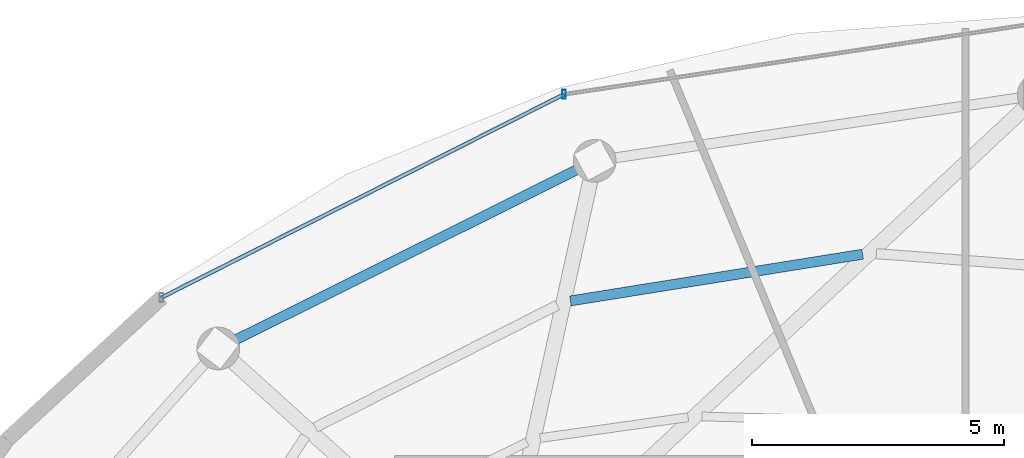
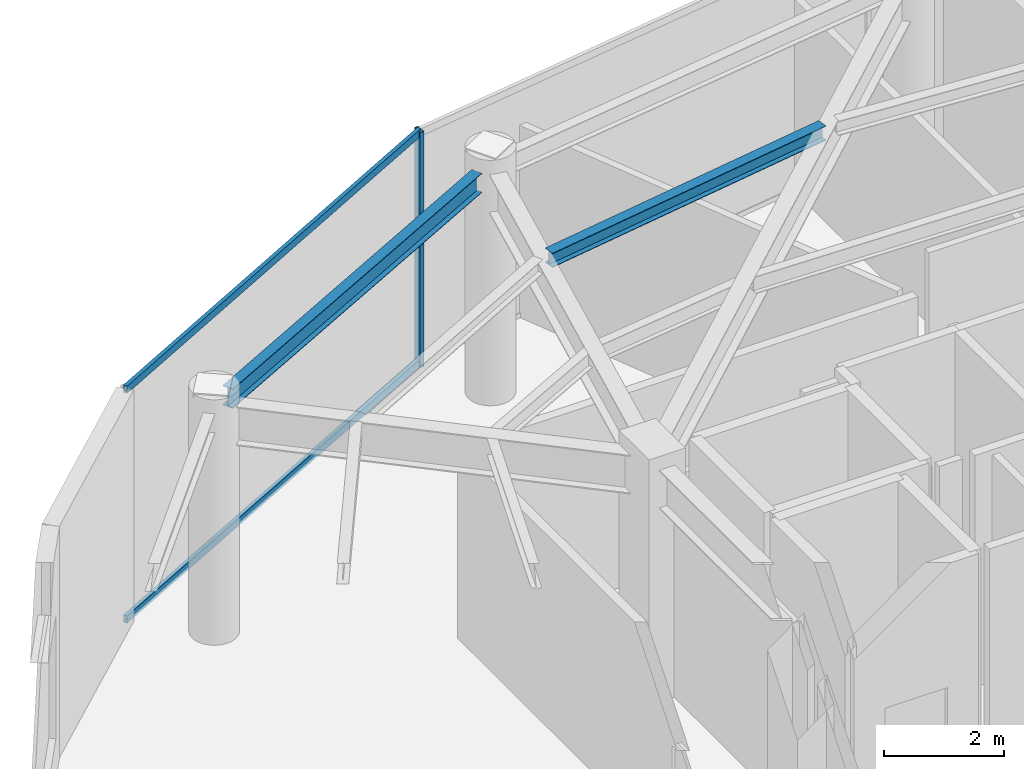
# One storey, part 16 of 24: 3 members, 2 beams, 1 element without a shape of its own.
"""IFC4 building model written with IfcOpenShell, lengths in metres."""

from ifc_helpers import new_model, si_unit, direction, frame, origin, origin_2d, place, context, subcontext, project, spatial, hollow_rectangle, i_section, extrude, material, material_profile, profile_set, type_object, element, aggregate, save


model = new_model("IFC4")

# Units and contexts
model_context = context("Model", 3, precision=1e-05, world=origin(), true_north=direction((0.0, 1.0)))
body_context = subcontext(model_context, "Body", "Model", "MODEL_VIEW")
ifc_project = project(units=[si_unit("LENGTHUNIT", "METRE"), si_unit("AREAUNIT", "SQUARE_METRE"), si_unit("VOLUMEUNIT", "CUBIC_METRE"), si_unit("PLANEANGLEUNIT", "RADIAN"), si_unit("MASSUNIT", "GRAM", prefix="KILO")], contexts=[model_context])

# Site, building, storey
site_placement = place(None, origin())
site = spatial("IfcSite", under=ifc_project, at=site_placement, CompositionType="ELEMENT")
building_placement = place(site_placement, origin())
building = spatial("IfcBuilding", under=site, at=building_placement, Name="Vorneva Point Tower", CompositionType="ELEMENT")
storey_placement = place(building_placement, frame((0.0, 0.0, 290.39990234375)))
storey = spatial("IfcBuildingStorey", under=building, at=storey_placement, Name="L78", CompositionType="ELEMENT", Elevation=290.39990234375)

# Beams
ifc_material_1 = material(Name="Steel S355", Category="steel")
ifc_material_profile_1 = material_profile(ifc_material_1, i_section(OverallWidth=0.199951171875, OverallDepth=0.291015625, WebThickness=0.008056640625, FlangeThickness=0.010986328125, at=origin_2d()), Name="30Sh1")
ifc_profile_set_1 = profile_set([ifc_material_profile_1], Name="Steel S355")
beam_type_1 = type_object("IfcBeamType", Name="BM-SEC-30Sh1", PredefinedType="BEAM", material=ifc_profile_set_1)
beam_1_placement = place(storey_placement, frame((34.502197265625, 40.035400390625, 4.57470703125), z_axis=(-0.987472742083, -0.157789681675, 0.0), x_axis=(0.157789681675, -0.987472742083, 0.0)))
element("IfcBeam", 1, at=beam_1_placement, inside=storey, type_object=beam_type_1, Name="L78 Secondary Floor Beam 1.05", PredefinedType="BEAM", context=body_context, shape_type="SweptSolid", body=[
    extrude(i_section(OverallWidth=0.199951171875, OverallDepth=0.291015625, WebThickness=0.008056640625, FlangeThickness=0.010986328125, at=origin_2d()), origin(), (0.0, 0.0, 1.0), 5.879638671875),
])
ifc_material_profile_2 = material_profile(ifc_material_1, i_section(OverallWidth=0.198974609375, OverallDepth=0.39599609375, WebThickness=0.007080078125, FlangeThickness=0.010986328125, at=origin_2d()), Name="40B1")
ifc_profile_set_2 = profile_set([ifc_material_profile_2], Name="Steel S355")
beam_type_2 = type_object("IfcBeamType", Name="BM-SPN-40B1", PredefinedType="SPANDREL", material=ifc_profile_set_2)
beam_2_placement = place(storey_placement, frame((28.812255859375, 41.707763671875, 4.522216796875), z_axis=(-0.894932011528, -0.446202526599, 0.0), x_axis=(0.446202526599, -0.894932011528, 0.0)))
element("IfcBeam", 2, at=beam_2_placement, inside=storey, type_object=beam_type_2, Name="L78 Perimeter Spandrel Ring Beam 06", PredefinedType="SPANDREL", context=body_context, shape_type="SweptSolid", body=[
    extrude(i_section(OverallWidth=0.198974609375, OverallDepth=0.39599609375, WebThickness=0.007080078125, FlangeThickness=0.010986328125, at=origin_2d()), origin(), (0.0, 0.0, 1.0), 7.535888671875),
])

# Curtain wall, members
ifc_material_2 = material(Name="Pale anodised aluminium", Category="aluminium")
curtain_wall_type = type_object("IfcCurtainWallType", Name="CW-OBS-SYS", PredefinedType="NOTDEFINED", material=ifc_material_2)
curtain_wall_placement = place(storey_placement, origin())
curtain_wall = element("IfcCurtainWall", 3, at=curtain_wall_placement, inside=storey, type_object=curtain_wall_type, Name="L78 Unitised Curtain Wall CW-L78-R02", PredefinedType="NOTDEFINED")
ifc_material_profile_3 = material_profile(ifc_material_2, hollow_rectangle(XDim=0.074951171875, YDim=0.179931640625, WallThickness=0.00390625, at=origin_2d()), Name="AL-MUL 180x75x4")
ifc_profile_set_3 = profile_set([ifc_material_profile_3], Name="Pale anodised aluminium")
member_type_1 = type_object("IfcMemberType", Name="CW-MUL-180", PredefinedType="MULLION", material=ifc_profile_set_3)
member_1_placement = place(storey_placement, frame((28.56689453125, 43.2119140625, -0.039794921875), z_axis=(0.0, 0.0, 1.0), x_axis=(1.0, 0.0, 0.0)))
member_1 = element("IfcMember", 4, at=member_1_placement, type_object=member_type_1, Name="CW-L78-R02 Mullion 03", PredefinedType="MULLION", context=body_context, shape_type="SweptSolid", body=[
    extrude(hollow_rectangle(XDim=0.074951171875, YDim=0.179931640625, WallThickness=0.00390625, at=origin_2d()), origin(), (0.0, 0.0, 1.0), 4.789794921875),
])
ifc_material_profile_4 = material_profile(ifc_material_2, hollow_rectangle(XDim=0.074951171875, YDim=0.14990234375, WallThickness=0.00390625, at=origin_2d()), Name="AL-TRN 150x75x4")
ifc_profile_set_4 = profile_set([ifc_material_profile_4], Name="Pale anodised aluminium")
member_type_2 = type_object("IfcMemberType", Name="CW-TRN-150", PredefinedType="USERDEFINED", material=ifc_profile_set_4)
member_2_placement = place(storey_placement, frame((28.56689453125, 43.2119140625, 0.02001953125), z_axis=(-0.892632382234, -0.450785348239, 0.0), x_axis=(0.450785348239, -0.892632382234, 0.0)))
member_2 = element("IfcMember", 5, at=member_2_placement, type_object=member_type_2, Name="CW-L78-R02 Transom 03.1", ObjectType="TRANSOM", PredefinedType="USERDEFINED", context=body_context, shape_type="SweptSolid", body=[
    extrude(hollow_rectangle(XDim=0.074951171875, YDim=0.14990234375, WallThickness=0.00390625, at=origin_2d()), origin(), (0.0, 0.0, 1.0), 8.958984375),
])
member_3_placement = place(storey_placement, frame((28.56689453125, 43.2119140625, 4.7001953125), z_axis=(-0.892632382234, -0.450785348239, 0.0), x_axis=(0.450785348239, -0.892632382234, 0.0)))
member_3 = element("IfcMember", 6, at=member_3_placement, type_object=member_type_2, Name="CW-L78-R02 Transom 03.2", ObjectType="TRANSOM", PredefinedType="USERDEFINED", context=body_context, shape_type="SweptSolid", body=[
    extrude(hollow_rectangle(XDim=0.074951171875, YDim=0.14990234375, WallThickness=0.00390625, at=origin_2d()), origin(), (0.0, 0.0, 1.0), 8.958984375),
])
aggregate(curtain_wall, [member_1, member_2, member_3])

save(model, "model.ifc")
